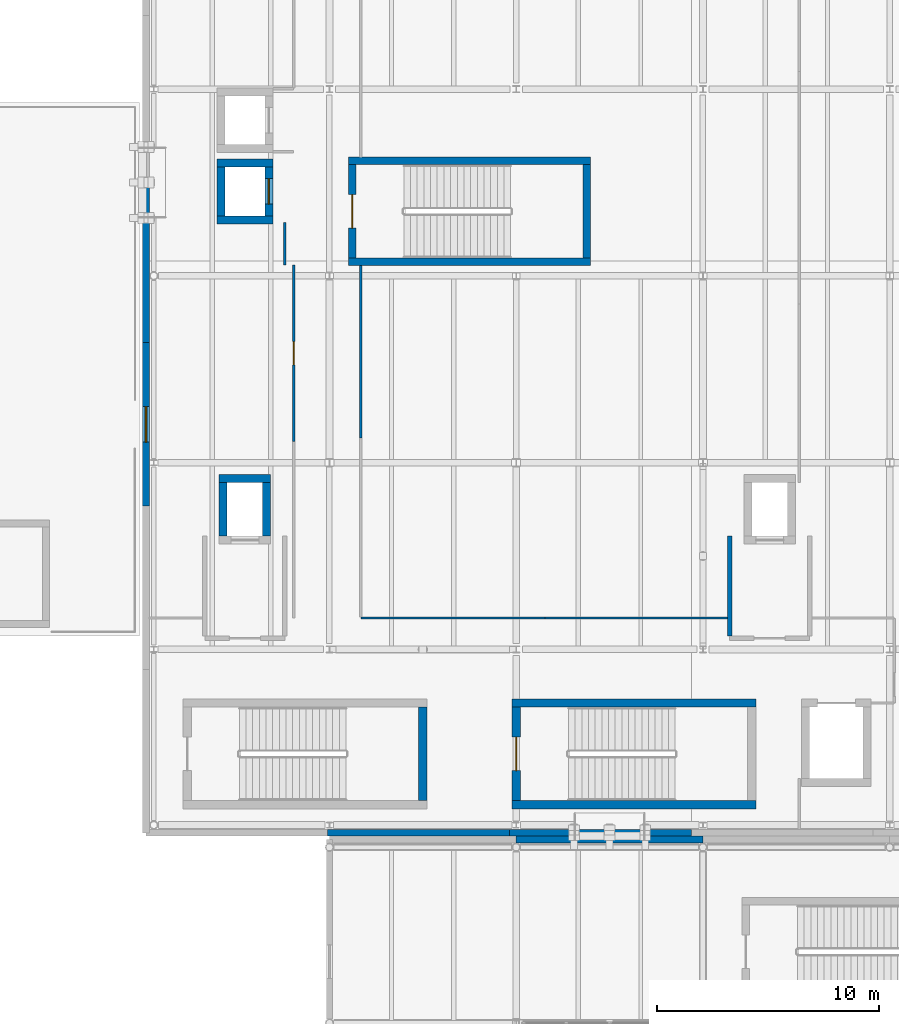
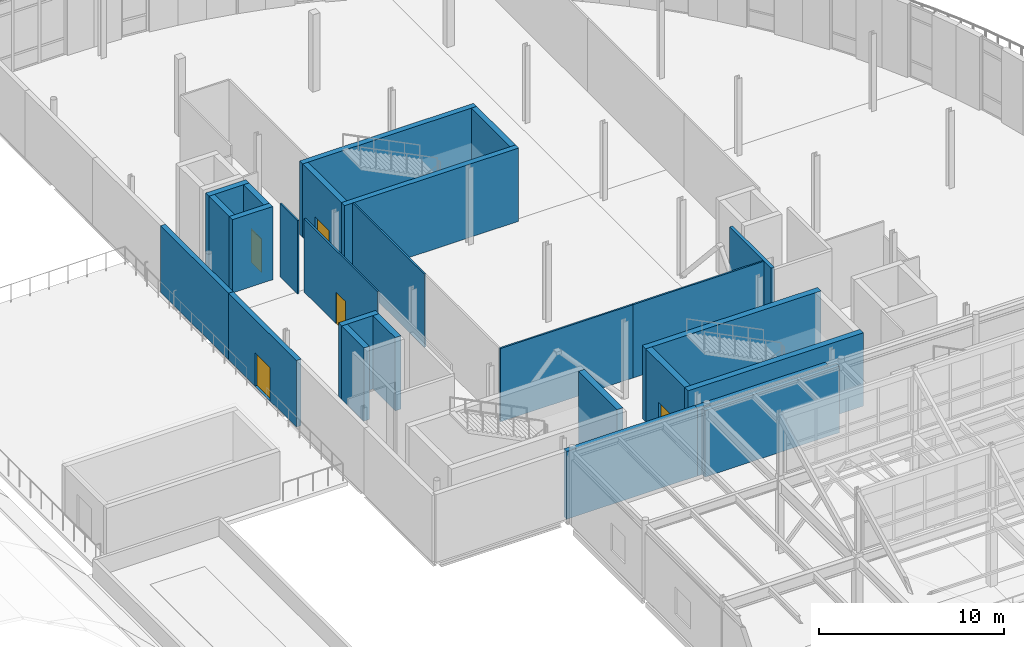
# One storey, part 68 of 91: 26 walls, 5 doors, 5 openings.
"""IFC4 building model written with IfcOpenShell, lengths in metres."""

from ifc_helpers import new_model, si_unit, direction, frame, frame_2d, origin, place, context, subcontext, project, spatial, rectangle, extrude, material, layer, layer_set, type_object, element, fill, save


model = new_model("IFC4")

# Units and contexts
model_context = context("Model", 3, precision=1e-05, world=origin(), true_north=direction((0.0, 1.0)))
body_context = subcontext(model_context, "Body", "Model", "MODEL_VIEW")
ifc_project = project(units=[si_unit("LENGTHUNIT", "METRE"), si_unit("AREAUNIT", "SQUARE_METRE"), si_unit("VOLUMEUNIT", "CUBIC_METRE"), si_unit("PLANEANGLEUNIT", "RADIAN"), si_unit("MASSUNIT", "GRAM", prefix="KILO"), si_unit("THERMODYNAMICTEMPERATUREUNIT", "KELVIN")], contexts=[model_context])

# Site, building, storey
site_placement = place(None, origin())
site = spatial("IfcSite", under=ifc_project, at=site_placement, CompositionType="ELEMENT")
building_placement = place(site_placement, origin())
building = spatial("IfcBuilding", under=site, at=building_placement, Name="Lustrewick Department Store", CompositionType="ELEMENT")
storey_placement = place(building_placement, frame((0.0, 0.0, 21.60009765625)))
storey = spatial("IfcBuildingStorey", under=building, at=storey_placement, Name="L05", CompositionType="ELEMENT", Elevation=21.60009765625)

# Walls
ifc_material_1 = material(Name="Precast concrete C40", Category="concrete")
ifc_layer_1 = layer(ifc_material_1, 0.300048828125, Name="Precast concrete C40")
ifc_layer_set_1 = layer_set([ifc_layer_1], Name="Precast concrete C40")
wall_type_1 = type_object("IfcWallType", Name="EW04", PredefinedType="STANDARD", material=ifc_layer_set_1)
wall_1_placement = place(storey_placement, frame((134.39990234375, 50.25, 0.0), z_axis=(0.0, 0.0, 1.0), x_axis=(-1.0, 0.0, 0.0)))
element("IfcWall", 1, at=wall_1_placement, inside=storey, type_object=wall_type_1, Name="L05 V3 Exterior Wall EW04", PredefinedType="STANDARD", context=body_context, shape_type="SweptSolid", body=[
    extrude(rectangle(XDim=8.39990234375, YDim=0.300048828125, at=frame_2d((4.199951171875, 0.0))), origin(), (0.0, 0.0, 1.0), 4.39697265625),
])
for number, where, z_axis, x_axis, name in (
    (2, (117.52490234375, 50.550048828125, 0.0), (0.0, 0.0, 1.0), (1.0, 0.0, 0.0), "L05 V4 Exterior Wall EW04"),
    (3, (125.699951171875, 50.550048828125, 0.0), (0.0, 0.0, 1.0), (1.0, 0.0, 0.0), "L05 V4 Exterior Wall EW04"),
):
    element("IfcWall", number, at=place(storey_placement, frame(where, z_axis=z_axis, x_axis=x_axis)), inside=storey, type_object=wall_type_1, Name=name, PredefinedType="STANDARD", context=body_context, shape_type="SweptSolid", body=[
        extrude(rectangle(XDim=8.175048828125, YDim=0.300048828125, at=frame_2d((4.08740234375, 0.0))), origin(), (0.0, 0.0, 1.0), 4.48681640625),
    ])
wall_2_placement = place(storey_placement, frame((109.35009765625, 79.949951171875, 0.0), z_axis=(0.0, 0.0, 1.0), x_axis=(0.0, -1.0, 0.0)))
element("IfcWall", 4, at=wall_2_placement, inside=storey, type_object=wall_type_1, Name="L05 V4 Exterior Wall EW04", PredefinedType="STANDARD", context=body_context, shape_type="SweptSolid", body=[
    extrude(rectangle(XDim=7.349853515625, YDim=0.300048828125, at=frame_2d((3.6748046875, 0.0))), origin(), (0.0, 0.0, 1.0), 4.39697265625),
])

# Wall, opening, door
wall_3_placement = place(storey_placement, frame((109.35009765625, 72.60009765625, 0.0), z_axis=(0.0, 0.0, 1.0), x_axis=(0.0, -1.0, 0.0)))
wall_3 = element("IfcWall", 5, at=wall_3_placement, inside=storey, type_object=wall_type_1, Name="L05 V4 Exterior Wall EW04", PredefinedType="STANDARD", context=body_context, shape_type="SweptSolid", body=[
    extrude(rectangle(XDim=7.35009765625, YDim=0.300048828125, at=frame_2d((3.675048828125, 0.0))), origin(), (0.0, 0.0, 1.0), 4.39697265625),
])
opening_1_placement = place(wall_3_placement, frame((2.875, 0.0, 0.0)))
opening_1 = element("IfcOpeningElement", 6, at=opening_1_placement, cuts=wall_3, Name="Opening D-TR02", PredefinedType="OPENING", context=body_context, shape_type="SweptSolid", body=[
    extrude(rectangle(XDim=1.60009765625, YDim=2.199951171875, at=frame_2d((0.800048828125, 1.10009765625))), frame((0.0, 0.16015625, 0.0), z_axis=(0.0, -1.0, 0.0), x_axis=(1.0, 0.0, 0.0)), (0.0, 0.0, 1.0), 0.320068359375),
])
ifc_material_2 = material(Name="Steel fire-rated terrace exit door EI 60", Category="steel")
door_type_1 = type_object("IfcDoorType", Name="DT-03", OperationType="NOTDEFINED", PredefinedType="DOOR", material=ifc_material_2)
door_1_placement = place(opening_1_placement, frame((1.60009765625, 0.0, 0.0), z_axis=(0.0, 0.0, 1.0), x_axis=(-1.0, 0.0, 0.0)))
door_1 = element("IfcDoor", 7, at=door_1_placement, inside=storey, type_object=door_type_1, Name="L05 Terrace and Refuge Access Door D-TR02", OperationType="DOUBLE_DOOR_SINGLE_SWING", OverallHeight=2.199951171875, OverallWidth=1.60009765625, PredefinedType="DOOR", context=body_context, shape_type="SweptSolid", body=[
    extrude(rectangle(XDim=1.60009765625, YDim=2.199951171875, at=frame_2d((0.800048828125, 1.10009765625))), frame((0.0, 0.02490234375, 0.0), z_axis=(0.0, -1.0, 0.0), x_axis=(1.0, 0.0, 0.0)), (0.0, 0.0, 1.0), 0.050048828125),
])
fill(opening_1, door_1)

# Wall
ifc_material_3 = material(Name="Autoclaved aerated concrete blockwork and fire board", Category="masonry")
ifc_layer_2 = layer(ifc_material_3, 0.205078125, Name="Autoclaved aerated concrete blockwork and fire board")
ifc_layer_set_2 = layer_set([ifc_layer_2], Name="Autoclaved aerated concrete blockwork and fire board")
wall_type_2 = type_object("IfcWallType", Name="PW02", PredefinedType="PARTITIONING", material=ifc_layer_set_2)
wall_4_placement = place(storey_placement, frame((135.60009765625, 63.89990234375, 0.0), z_axis=(0.0, 0.0, 1.0), x_axis=(0.0, -1.0, 0.0)))
element("IfcWall", 8, at=wall_4_placement, inside=storey, type_object=wall_type_2, Name="L05 Firefighting Lift Lobby FFL-03 PW02", PredefinedType="PARTITIONING", context=body_context, shape_type="SweptSolid", body=[
    extrude(rectangle(XDim=4.50244140625, YDim=0.205078125, at=frame_2d((2.251220703125, 0.0))), origin(), (0.0, 0.0, 1.0), 4.844970703125),
])

# Wall, opening, door
ifc_material_4 = material(Name="Lightweight demountable studio partition", Category="gypsum")
ifc_layer_3 = layer(ifc_material_4, 0.10498046875, Name="Lightweight demountable studio partition")
ifc_layer_set_3 = layer_set([ifc_layer_3], Name="Lightweight demountable studio partition")
wall_type_3 = type_object("IfcWallType", Name="PW08", PredefinedType="PARTITIONING", material=ifc_layer_set_3)
wall_5_placement = place(storey_placement, frame((115.989990234375, 68.14990234375, 0.0), z_axis=(0.0, 0.0, 1.0), x_axis=(0.0, 1.0, 0.0)))
wall_5 = element("IfcWall", 9, at=wall_5_placement, inside=storey, type_object=wall_type_3, Name="L05 Store Buying Office PW08", PredefinedType="PARTITIONING", context=body_context, shape_type="SweptSolid", body=[
    extrude(rectangle(XDim=7.940185546875, YDim=0.10498046875, at=frame_2d((3.97021484375, 0.0))), origin(), (0.0, 0.0, 1.0), 4.844970703125),
])
opening_2_placement = place(wall_5_placement, frame((3.445068359375, 0.0, 0.0)))
opening_2 = element("IfcOpeningElement", 10, at=opening_2_placement, cuts=wall_5, Name="Opening D-L05-050", PredefinedType="OPENING", context=body_context, shape_type="SweptSolid", body=[
    extrude(rectangle(XDim=1.050048828125, YDim=2.10009765625, at=frame_2d((0.52490234375, 1.050048828125))), frame((0.0, 0.0625, 0.0), z_axis=(0.0, -1.0, 0.0), x_axis=(1.0, 0.0, 0.0)), (0.0, 0.0, 1.0), 0.125),
])
ifc_material_5 = material(Name="Acoustic oak veneer office door", Category="wood")
door_type_2 = type_object("IfcDoorType", Name="DT-10", OperationType="NOTDEFINED", PredefinedType="DOOR", material=ifc_material_5)
door_2_placement = place(opening_2_placement, origin())
door_2 = element("IfcDoor", 11, at=door_2_placement, inside=storey, type_object=door_type_2, Name="L05 Store Buying Office Door D-L05-050", OperationType="SINGLE_SWING_RIGHT", OverallHeight=2.10009765625, OverallWidth=1.050048828125, PredefinedType="DOOR", context=body_context, shape_type="SweptSolid", body=[
    extrude(rectangle(XDim=1.050048828125, YDim=2.10009765625, at=frame_2d((0.52490234375, 1.050048828125))), frame((0.0, 0.02490234375, 0.0), z_axis=(0.0, -1.0, 0.0), x_axis=(1.0, 0.0, 0.0)), (0.0, 0.0, 1.0), 0.050048828125),
])
fill(opening_2, door_2)

# Walls
wall_6_placement = place(storey_placement, frame((115.590087890625, 76.10009765625, 0.0), z_axis=(0.0, 0.0, 1.0), x_axis=(0.0, 1.0, 0.0)))
element("IfcWall", 12, at=wall_6_placement, inside=storey, type_object=wall_type_3, Name="L05 Store Buying Office PW08", PredefinedType="PARTITIONING", context=body_context, shape_type="SweptSolid", body=[
    extrude(rectangle(XDim=1.889892578125, YDim=0.10498046875, at=frame_2d((0.94482421875, 0.0))), origin(), (0.0, 0.0, 1.0), 4.844970703125),
])
wall_7_placement = place(storey_placement, frame((119.010009765625, 60.2099609375, 0.0), z_axis=(0.0, 0.0, 1.0), x_axis=(1.0, 0.0, 0.0)))
element("IfcWall", 13, at=wall_7_placement, inside=storey, type_object=wall_type_3, Name="L05 Store Buying Office PW08", PredefinedType="PARTITIONING", context=body_context, shape_type="SweptSolid", body=[
    extrude(rectangle(XDim=8.2900390625, YDim=0.10498046875, at=frame_2d((4.14501953125, 0.0))), origin(), (0.0, 0.0, 1.0), 4.844970703125),
])
wall_8_placement = place(storey_placement, frame((127.300048828125, 60.2099609375, 0.0), z_axis=(0.0, 0.0, 1.0), x_axis=(1.0, 0.0, 0.0)))
element("IfcWall", 14, at=wall_8_placement, inside=storey, type_object=wall_type_3, Name="L05 Store Buying Office PW08", PredefinedType="PARTITIONING", context=body_context, shape_type="SweptSolid", body=[
    extrude(rectangle(XDim=8.202392578125, YDim=0.10498046875, at=frame_2d((4.10107421875, 0.0))), origin(), (0.0, 0.0, 1.0), 4.844970703125),
])
wall_9_placement = place(storey_placement, frame((119.010009765625, 76.06494140625, 0.0), z_axis=(0.0, 0.0, 1.0), x_axis=(0.0, -1.0, 0.0)))
element("IfcWall", 15, at=wall_9_placement, inside=storey, type_object=wall_type_3, Name="L05 Store Buying Office PW08", PredefinedType="PARTITIONING", context=body_context, shape_type="SweptSolid", body=[
    extrude(rectangle(XDim=7.764892578125, YDim=0.10498046875, at=frame_2d((3.88232421875, 0.0))), origin(), (0.0, 0.0, 1.0), 4.844970703125),
])
ifc_material_6 = material(Name="Concrete C40", Category="concrete")
ifc_layer_4 = layer(ifc_material_6, 0.3798828125, Name="Concrete C40")
ifc_layer_set_4 = layer_set([ifc_layer_4], Name="Concrete C40")
wall_type_4 = type_object("IfcWallType", Name="SW03", PredefinedType="SHEAR", material=ifc_layer_set_4)
wall_10_placement = place(storey_placement, frame((121.7900390625, 52.0, 0.0), z_axis=(0.0, 0.0, 1.0), x_axis=(0.0, 1.0, 0.0)))
element("IfcWall", 16, at=wall_10_placement, inside=storey, type_object=wall_type_4, Name="L05 Stair Core ST09 Shear Wall E", PredefinedType="SHEAR", context=body_context, shape_type="SweptSolid", body=[
    extrude(rectangle(XDim=4.199951171875, YDim=0.3798828125, at=frame_2d((2.10009765625, 0.0))), origin(), (0.0, 0.0, 1.0), 4.844970703125),
])
for number, where, z_axis, x_axis, name in (
    (17, (125.820068359375, 51.81005859375, 0.0), (0.0, 0.0, 1.0), (1.0, 0.0, 0.0), "L05 Stair Core ST11 Shear Wall S"),
    (18, (136.780029296875, 56.389892578125, 0.0), (0.0, 0.0, 1.0), (-1.0, 0.0, 0.0), "L05 Stair Core ST11 Shear Wall N"),
):
    element("IfcWall", number, at=place(storey_placement, frame(where, z_axis=z_axis, x_axis=x_axis)), inside=storey, type_object=wall_type_4, Name=name, PredefinedType="SHEAR", context=body_context, shape_type="SweptSolid", body=[
        extrude(rectangle(XDim=10.9599609375, YDim=0.3798828125, at=frame_2d((5.47998046875, 0.0))), origin(), (0.0, 0.0, 1.0), 4.844970703125),
    ])

# Wall, opening, door
wall_11_placement = place(storey_placement, frame((126.010009765625, 56.199951171875, 0.0), z_axis=(0.0, 0.0, 1.0), x_axis=(0.0, -1.0, 0.0)))
wall_11 = element("IfcWall", 19, at=wall_11_placement, inside=storey, type_object=wall_type_4, Name="L05 Stair Core ST11 Shear Wall W", PredefinedType="SHEAR", context=body_context, shape_type="SweptSolid", body=[
    extrude(rectangle(XDim=4.199951171875, YDim=0.3798828125, at=frame_2d((2.10009765625, 0.0))), origin(), (0.0, 0.0, 1.0), 4.844970703125),
])
opening_3_placement = place(wall_11_placement, frame((1.35009765625, 0.0, 0.0)))
opening_3 = element("IfcOpeningElement", 20, at=opening_3_placement, cuts=wall_11, Name="Opening D-L05-010", PredefinedType="OPENING", context=body_context, shape_type="SweptSolid", body=[
    extrude(rectangle(XDim=1.5, YDim=2.14990234375, at=frame_2d((0.75, 1.074951171875))), frame((0.0, 0.199951171875, 0.0), z_axis=(0.0, -1.0, 0.0), x_axis=(1.0, 0.0, 0.0)), (0.0, 0.0, 1.0), 0.39990234375),
])
ifc_material_7 = material(Name="Steel fire door Class B EI 60", Category="steel")
door_type_3 = type_object("IfcDoorType", Name="DT-07", OperationType="NOTDEFINED", PredefinedType="DOOR", material=ifc_material_7)
door_3_placement = place(opening_3_placement, origin())
door_3 = element("IfcDoor", 21, at=door_3_placement, inside=storey, type_object=door_type_3, Name="L05 Smoke-Proof Stair ST11 Fire Door", OperationType="SINGLE_SWING_LEFT", OverallHeight=2.14990234375, OverallWidth=1.5, PredefinedType="DOOR", context=body_context, shape_type="SweptSolid", body=[
    extrude(rectangle(XDim=1.5, YDim=2.14990234375, at=frame_2d((0.75, 1.074951171875))), frame((0.0, 0.02490234375, 0.0), z_axis=(0.0, -1.0, 0.0), x_axis=(1.0, 0.0, 0.0)), (0.0, 0.0, 1.0), 0.050048828125),
])
fill(opening_3, door_3)

# Walls
ifc_layer_5 = layer(ifc_material_6, 0.360107421875, Name="Concrete C40")
ifc_layer_set_5 = layer_set([ifc_layer_5], Name="Concrete C40")
wall_type_5 = type_object("IfcWallType", Name="SW04", PredefinedType="SHEAR", material=ifc_layer_set_5)
wall_12_placement = place(storey_placement, frame((114.780029296875, 63.89990234375, 0.0), z_axis=(0.0, 0.0, 1.0), x_axis=(0.0, 1.0, 0.0)))
element("IfcWall", 22, at=wall_12_placement, inside=storey, type_object=wall_type_5, Name="L05 Lift FFL-04 Shaft Wall +X", PredefinedType="SHEAR", context=body_context, shape_type="SweptSolid", body=[
    extrude(rectangle(XDim=2.400146484375, YDim=0.360107421875, at=frame_2d((1.2001953125, 0.0))), origin(), (0.0, 0.0, 1.0), 4.844970703125),
])
wall_13_placement = place(storey_placement, frame((114.9599609375, 66.47998046875, 0.0), z_axis=(0.0, 0.0, 1.0), x_axis=(-1.0, 0.0, 0.0)))
element("IfcWall", 23, at=wall_13_placement, inside=storey, type_object=wall_type_5, Name="L05 Lift FFL-04 Shaft Wall +Y", PredefinedType="SHEAR", context=body_context, shape_type="SweptSolid", body=[
    extrude(rectangle(XDim=2.320068359375, YDim=0.360107421875, at=frame_2d((1.16015625, 0.0))), origin(), (0.0, 0.0, 1.0), 4.844970703125),
])
wall_14_placement = place(storey_placement, frame((112.820068359375, 66.300048828125, 0.0), z_axis=(0.0, 0.0, 1.0), x_axis=(0.0, -1.0, 0.0)))
element("IfcWall", 24, at=wall_14_placement, inside=storey, type_object=wall_type_5, Name="L05 Lift FFL-04 Shaft Wall -X", PredefinedType="SHEAR", context=body_context, shape_type="SweptSolid", body=[
    extrude(rectangle(XDim=2.400146484375, YDim=0.360107421875, at=frame_2d((1.2001953125, 0.0))), origin(), (0.0, 0.0, 1.0), 4.844970703125),
])
wall_15_placement = place(storey_placement, frame((112.5400390625, 78.1201171875, 0.0), z_axis=(0.0, 0.0, 1.0), x_axis=(1.0, 0.0, 0.0)))
element("IfcWall", 25, at=wall_15_placement, inside=storey, type_object=wall_type_5, Name="L05 Lift PL-07 Shaft Wall -Y", PredefinedType="SHEAR", context=body_context, shape_type="SweptSolid", body=[
    extrude(rectangle(XDim=2.52001953125, YDim=0.360107421875, at=frame_2d((1.260009765625, 0.0))), origin(), (0.0, 0.0, 1.0), 4.844970703125),
])

# Wall, opening, door
wall_16_placement = place(storey_placement, frame((114.8798828125, 78.300048828125, 0.0), z_axis=(0.0, 0.0, 1.0), x_axis=(0.0, 1.0, 0.0)))
wall_16 = element("IfcWall", 26, at=wall_16_placement, inside=storey, type_object=wall_type_5, Name="L05 Lift PL-07 Shaft Wall +X", PredefinedType="SHEAR", context=body_context, shape_type="SweptSolid", body=[
    extrude(rectangle(XDim=2.199951171875, YDim=0.360107421875, at=frame_2d((1.10009765625, 0.0))), origin(), (0.0, 0.0, 1.0), 4.844970703125),
])
opening_4_placement = place(wall_16_placement, frame((0.52490234375, 0.0, 0.0)))
opening_4 = element("IfcOpeningElement", 27, at=opening_4_placement, cuts=wall_16, Name="Opening LD-L05-08", PredefinedType="OPENING", context=body_context, shape_type="SweptSolid", body=[
    extrude(rectangle(XDim=1.14990234375, YDim=2.199951171875, at=frame_2d((0.574951171875, 1.10009765625))), frame((0.0, 0.18994140625, 0.0), z_axis=(0.0, -1.0, 0.0), x_axis=(1.0, 0.0, 0.0)), (0.0, 0.0, 1.0), 0.380126953125),
])
ifc_material_8 = material(Name="Brushed bronze passenger lift landing door EI 60", Category="steel")
door_type_4 = type_object("IfcDoorType", Name="DT-16", OperationType="NOTDEFINED", PredefinedType="DOOR", material=ifc_material_8)
door_4_placement = place(opening_4_placement, frame((1.14990234375, 0.0, 0.0), z_axis=(0.0, 0.0, 1.0), x_axis=(-1.0, 0.0, 0.0)))
door_4 = element("IfcDoor", 28, at=door_4_placement, inside=storey, type_object=door_type_4, Name="L05 Lift PL-07 Sliding Landing Door LD-L05-08", OperationType="DOUBLE_DOOR_SLIDING", OverallHeight=2.199951171875, OverallWidth=1.14990234375, PredefinedType="DOOR", context=body_context, shape_type="SweptSolid", body=[
    extrude(rectangle(XDim=1.14990234375, YDim=2.199951171875, at=frame_2d((0.574951171875, 1.10009765625))), frame((0.0, 0.02490234375, 0.0), z_axis=(0.0, -1.0, 0.0), x_axis=(1.0, 0.0, 0.0)), (0.0, 0.0, 1.0), 0.050048828125),
])
fill(opening_4, door_4)

# Walls
wall_17_placement = place(storey_placement, frame((115.06005859375, 80.679931640625, 0.0), z_axis=(0.0, 0.0, 1.0), x_axis=(-1.0, 0.0, 0.0)))
element("IfcWall", 29, at=wall_17_placement, inside=storey, type_object=wall_type_5, Name="L05 Lift PL-07 Shaft Wall +Y", PredefinedType="SHEAR", context=body_context, shape_type="SweptSolid", body=[
    extrude(rectangle(XDim=2.52001953125, YDim=0.360107421875, at=frame_2d((1.260009765625, 0.0))), origin(), (0.0, 0.0, 1.0), 4.844970703125),
])
wall_18_placement = place(storey_placement, frame((112.719970703125, 80.5, 0.0), z_axis=(0.0, 0.0, 1.0), x_axis=(0.0, -1.0, 0.0)))
element("IfcWall", 30, at=wall_18_placement, inside=storey, type_object=wall_type_5, Name="L05 Lift PL-07 Shaft Wall -X", PredefinedType="SHEAR", context=body_context, shape_type="SweptSolid", body=[
    extrude(rectangle(XDim=2.199951171875, YDim=0.360107421875, at=frame_2d((1.10009765625, 0.0))), origin(), (0.0, 0.0, 1.0), 4.844970703125),
])
ifc_layer_6 = layer(ifc_material_6, 0.340087890625, Name="Concrete C40")
ifc_layer_set_6 = layer_set([ifc_layer_6], Name="Concrete C40")
wall_type_6 = type_object("IfcWallType", Name="SW05", PredefinedType="SHEAR", material=ifc_layer_set_6)
wall_19_placement = place(storey_placement, frame((118.4599609375, 76.22998046875, 0.0), z_axis=(0.0, 0.0, 1.0), x_axis=(1.0, 0.0, 0.0)))
element("IfcWall", 31, at=wall_19_placement, inside=storey, type_object=wall_type_6, Name="L05 Stair Core ST10 Shear Wall S", PredefinedType="SHEAR", context=body_context, shape_type="SweptSolid", body=[
    extrude(rectangle(XDim=10.880126953125, YDim=0.340087890625, at=frame_2d((5.43994140625, 0.0))), origin(), (0.0, 0.0, 1.0), 4.844970703125),
])
wall_20_placement = place(storey_placement, frame((129.169921875, 76.39990234375, 0.0), z_axis=(0.0, 0.0, 1.0), x_axis=(0.0, 1.0, 0.0)))
element("IfcWall", 32, at=wall_20_placement, inside=storey, type_object=wall_type_6, Name="L05 Stair Core ST10 Shear Wall E", PredefinedType="SHEAR", context=body_context, shape_type="SweptSolid", body=[
    extrude(rectangle(XDim=4.2001953125, YDim=0.340087890625, at=frame_2d((2.10009765625, 0.0))), origin(), (0.0, 0.0, 1.0), 4.844970703125),
])
wall_21_placement = place(storey_placement, frame((129.340087890625, 80.77001953125, 0.0), z_axis=(0.0, 0.0, 1.0), x_axis=(-1.0, 0.0, 0.0)))
element("IfcWall", 33, at=wall_21_placement, inside=storey, type_object=wall_type_6, Name="L05 Stair Core ST10 Shear Wall N", PredefinedType="SHEAR", context=body_context, shape_type="SweptSolid", body=[
    extrude(rectangle(XDim=10.880126953125, YDim=0.340087890625, at=frame_2d((5.43994140625, 0.0))), origin(), (0.0, 0.0, 1.0), 4.844970703125),
])

# Wall, opening, door
wall_22_placement = place(storey_placement, frame((118.6298828125, 80.60009765625, 0.0), z_axis=(0.0, 0.0, 1.0), x_axis=(0.0, -1.0, 0.0)))
wall_22 = element("IfcWall", 34, at=wall_22_placement, inside=storey, type_object=wall_type_6, Name="L05 Stair Core ST10 Shear Wall W", PredefinedType="SHEAR", context=body_context, shape_type="SweptSolid", body=[
    extrude(rectangle(XDim=4.2001953125, YDim=0.340087890625, at=frame_2d((2.10009765625, 0.0))), origin(), (0.0, 0.0, 1.0), 4.844970703125),
])
opening_5_placement = place(wall_22_placement, frame((1.35009765625, 0.0, 0.0)))
opening_5 = element("IfcOpeningElement", 35, at=opening_5_placement, cuts=wall_22, Name="Opening D-L05-009", PredefinedType="OPENING", context=body_context, shape_type="SweptSolid", body=[
    extrude(rectangle(XDim=1.5, YDim=2.14990234375, at=frame_2d((0.75, 1.074951171875))), frame((0.0, 0.18017578125, 0.0), z_axis=(0.0, -1.0, 0.0), x_axis=(1.0, 0.0, 0.0)), (0.0, 0.0, 1.0), 0.360107421875),
])
door_5_placement = place(opening_5_placement, origin())
door_5 = element("IfcDoor", 36, at=door_5_placement, inside=storey, type_object=door_type_3, Name="L05 Smoke-Proof Stair ST10 Fire Door", OperationType="SINGLE_SWING_RIGHT", OverallHeight=2.14990234375, OverallWidth=1.5, PredefinedType="DOOR", context=body_context, shape_type="SweptSolid", body=[
    extrude(rectangle(XDim=1.5, YDim=2.14990234375, at=frame_2d((0.75, 1.074951171875))), frame((0.0, 0.02490234375, 0.0), z_axis=(0.0, -1.0, 0.0), x_axis=(1.0, 0.0, 0.0)), (0.0, 0.0, 1.0), 0.050048828125),
])
fill(opening_5, door_5)

save(model, "model.ifc")
